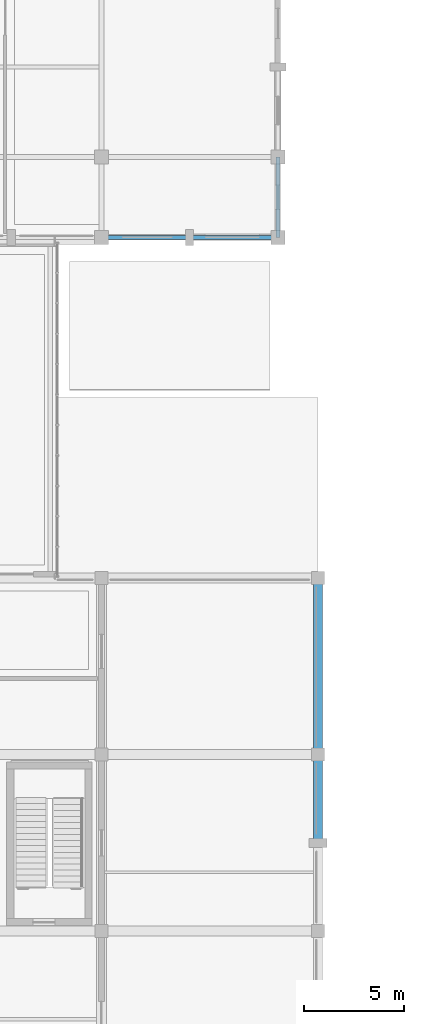
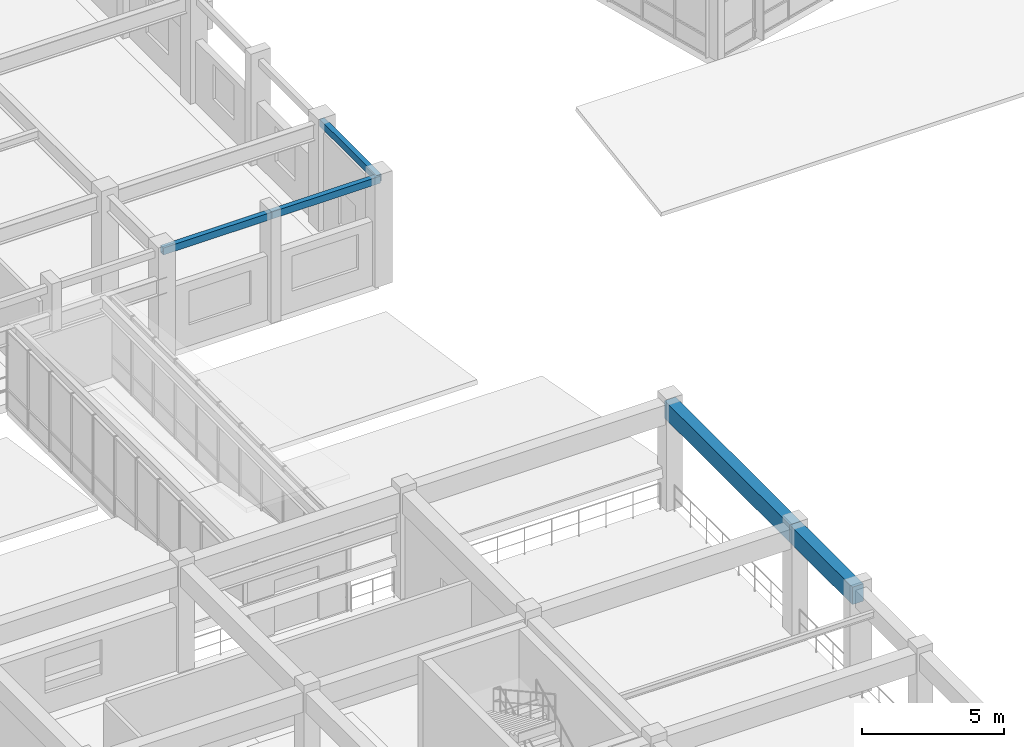
# One storey, part 21 of 104: 5 beams.
"""IFC4 building model written with IfcOpenShell, lengths in metres."""

import ifcopenshell
import ifcopenshell.guid

model = None  # the IFC model being written
_history = None  # IfcOwnerHistory: only IFC2X3 demands one
_inside = {}  # id of a spatial element -> (the spatial element, [elements in it])
_under = {}  # id of a project, library or spatial element -> (it, [spatial elements below it])
_declared = {}  # id of a project -> (the project, [libraries it declares])
_typed = {}  # id of a type object -> (the type object, [elements of that type])
_made_of = {}  # id of a material, layer set ... -> (it, [elements and type objects made of it])


def new_model(schema):
    """Start an empty IFC model of exactly this schema.

    Asked for "IFC4X3", IfcOpenShell would pick the latest addendum, in which some entities
    have other attributes; the version numbers below select the first issue.
    IFC2X3 requires an IfcOwnerHistory on every rooted entity: one is made here for all.
    """
    global model, _history
    if schema == "IFC4X3":
        model = ifcopenshell.file(schema_version=(4, 3, 0, 0))
    else:
        model = ifcopenshell.file(schema=schema)
    _inside.clear()
    _under.clear()
    _declared.clear()
    _typed.clear()
    _made_of.clear()
    _history = None
    if model.schema == "IFC2X3":
        org = make("IfcOrganization", Name="unknown")
        user = make(
            "IfcPersonAndOrganization",
            ThePerson=make("IfcPerson", FamilyName="unknown"),
            TheOrganization=org,
        )
        app = make(
            "IfcApplication",
            ApplicationDeveloper=org,
            Version="unknown",
            ApplicationFullName="unknown",
            ApplicationIdentifier="unknown",
        )
        _history = make(
            "IfcOwnerHistory",
            OwningUser=user,
            OwningApplication=app,
            ChangeAction="ADDED",
            CreationDate=0,
        )
    return model


def make(cls, **values):
    """One entity of the class cls with the attributes given. An attribute that is None is left unset."""
    return model.create_entity(
        cls, **{name: value for name, value in values.items() if value is not None}
    )


def rooted(cls, **values):
    """An entity with a GlobalId (a new one), such as an element, a storey or a relation."""
    return make(cls, GlobalId=ifcopenshell.guid.new(), OwnerHistory=_history, **values)


def si_unit(unit_type, name, prefix=None):
    """IfcSIUnit, for example si_unit("LENGTHUNIT", "METRE", prefix="MILLI")."""
    return make("IfcSIUnit", UnitType=unit_type, Prefix=prefix, Name=name)


def assignment(units):
    """IfcUnitAssignment: the units of a project."""
    return None if units is None else make("IfcUnitAssignment", Units=units)


def point(xyz):
    """IfcCartesianPoint."""
    return None if xyz is None else make("IfcCartesianPoint", Coordinates=xyz)


def direction(xyz):
    """IfcDirection."""
    return None if xyz is None else make("IfcDirection", DirectionRatios=xyz)


def frame(location, z_axis=None, x_axis=None):
    """IfcAxis2Placement3D, a coordinate frame: its origin and axes. An axis left out is left unset."""
    return make(
        "IfcAxis2Placement3D",
        Location=point(location),
        Axis=direction(z_axis),
        RefDirection=direction(x_axis),
    )


def frame_2d(location, x_axis=None):
    """IfcAxis2Placement2D, a coordinate frame in the plane: its origin and x axis."""
    return make(
        "IfcAxis2Placement2D", Location=point(location), RefDirection=direction(x_axis)
    )


def origin():
    """The frame at (0, 0, 0) with its axes left unset."""
    return frame((0.0, 0.0, 0.0))


def origin_2d():
    """The frame at (0, 0) in the plane with its x axis left unset."""
    return frame_2d((0.0, 0.0))


def place(relative_to, where):
    """IfcLocalPlacement: puts the frame where relative to a parent placement (None: the world)."""
    return make(
        "IfcLocalPlacement", PlacementRelTo=relative_to, RelativePlacement=where
    )


def context(
    kind, dimensions, precision=None, world=None, true_north=None, identifier=None
):
    """IfcGeometricRepresentationContext, for example the 3D "Model" context."""
    return make(
        "IfcGeometricRepresentationContext",
        ContextIdentifier=identifier,
        ContextType=kind,
        CoordinateSpaceDimension=dimensions,
        Precision=precision,
        WorldCoordinateSystem=world,
        TrueNorth=true_north,
    )


def subcontext(parent, identifier, kind, view, scale=None):
    """IfcGeometricRepresentationSubContext, for example "Body" below "Model"."""
    return make(
        "IfcGeometricRepresentationSubContext",
        ContextIdentifier=identifier,
        ContextType=kind,
        ParentContext=parent,
        TargetScale=scale,
        TargetView=view,
    )


def project(units=None, contexts=None):
    """IfcProject with its units and contexts."""
    return rooted(
        "IfcProject",
        Name="project",
        RepresentationContexts=contexts,
        UnitsInContext=assignment(units),
    )


def spatial(cls, under=None, at=None, **own):
    """A site, building, storey or space (cls), placed at a placement, below another one or the project."""
    s = rooted(cls, ObjectPlacement=at, **own)
    if under is not None:
        _under.setdefault(under.id(), (under, []))[1].append(s)
    return s


def profile(cls, at=None, kind="AREA", **sizes):
    """A parametric profile (cls). Its sizes go by their IFC names, for example OverallWidth=200.0."""
    return make(cls, ProfileType=kind, Position=at, **sizes)


def rectangle(**sizes):
    """IfcRectangleProfileDef."""
    return profile("IfcRectangleProfileDef", **sizes)


def hollow_rectangle(**sizes):
    """IfcRectangleHollowProfileDef."""
    return profile("IfcRectangleHollowProfileDef", **sizes)


def extrude(swept, where, along, depth):
    """IfcExtrudedAreaSolid: the profile swept, set in the frame where, extruded along a direction by depth."""
    return make(
        "IfcExtrudedAreaSolid",
        SweptArea=swept,
        Position=where,
        ExtrudedDirection=direction(along),
        Depth=depth,
    )


def shape(context_of_items, identifier, shape_type, items):
    """IfcShapeRepresentation: the items that make up one representation, for example the "Body"."""
    return make(
        "IfcShapeRepresentation",
        ContextOfItems=context_of_items,
        RepresentationIdentifier=identifier,
        RepresentationType=shape_type,
        Items=items,
    )


def material(Name=None, Category=None):
    """IfcMaterial."""
    return make("IfcMaterial", Name=Name, Category=Category)


def material_profile(
    of_material, cross_section, Name=None, Category=None, Priority=None
):
    """IfcMaterialProfile: a cross section and its material."""
    return make(
        "IfcMaterialProfile",
        Name=Name,
        Material=of_material,
        Profile=cross_section,
        Priority=Priority,
        Category=Category,
    )


def profile_set(profiles, Name=None, composite=None):
    """IfcMaterialProfileSet."""
    return make(
        "IfcMaterialProfileSet",
        Name=Name,
        MaterialProfiles=profiles,
        CompositeProfile=composite,
    )


def made_of(thing, what):
    """Note that an element or type object is made of a material, layer set ...; save() writes the relation."""
    if what is not None:
        _made_of.setdefault(what.id(), (what, []))[1].append(thing)
    return thing


def type_object(cls, material=None, **own):
    """A type object (cls), such as IfcWallType, which elements share."""
    return made_of(rooted(cls, **own), material)


def element(
    cls,
    number,
    at=None,
    inside=None,
    cuts=None,
    type_object=None,
    material=None,
    context=None,
    identifier="Body",
    shape_type=None,
    held_by="IfcProductDefinitionShape",
    body=None,
    shapes=None,
    **own,
):
    """One element of the class cls, such as IfcWall. Its Tag is "e" and its number.

    at: its placement. inside: the storey or other place that contains it. cuts: it is an
    opening in that element (IfcRelVoidsElement). A single representation is given by context,
    identifier, shape_type and body (its items); several are given by shapes. held_by: the class
    of the entity that holds the representations. save() writes the other relations.
    """
    e = rooted(cls, Tag="e%d" % number, ObjectPlacement=at, **own)
    if body is not None:
        shapes = [shape(context, identifier, shape_type, body)]
    if shapes is not None:
        e.Representation = make(held_by, Representations=shapes)
    if inside is not None:
        _inside.setdefault(inside.id(), (inside, []))[1].append(e)
    if cuts is not None:
        rooted(
            "IfcRelVoidsElement", RelatingBuildingElement=cuts, RelatedOpeningElement=e
        )
    if type_object is not None:
        _typed.setdefault(type_object.id(), (type_object, []))[1].append(e)
    return made_of(e, material)


def aggregate(whole, parts):
    """IfcRelAggregates: a whole, such as a stair, and the parts it consists of."""
    return rooted("IfcRelAggregates", RelatingObject=whole, RelatedObjects=parts)


def save(model, path):
    """Write the relations noted so far, then the file.

    IfcRelAggregates (storeys below a building ...), IfcRelContainedInSpatialStructure (elements
    in a storey), IfcRelDefinesByType, IfcRelAssociatesMaterial and IfcRelDeclares: one each for
    every whole, place, type object, material and project.
    """
    for whole, parts in _under.values():
        aggregate(whole, parts)
    for where, things in _inside.values():
        rooted(
            "IfcRelContainedInSpatialStructure",
            RelatedElements=things,
            RelatingStructure=where,
        )
    for kind, things in _typed.values():
        rooted("IfcRelDefinesByType", RelatedObjects=things, RelatingType=kind)
    for what, things in _made_of.values():
        rooted("IfcRelAssociatesMaterial", RelatedObjects=things, RelatingMaterial=what)
    for by, libraries in _declared.values():
        rooted("IfcRelDeclares", RelatingContext=by, RelatedDefinitions=libraries)
    model.write(path)


model = new_model("IFC4")

# Units and contexts
model_context = context("Model", 3, precision=1e-05, world=origin(), true_north=direction((0.0, 1.0)))
body_context = subcontext(model_context, "Body", "Model", "MODEL_VIEW")
ifc_project = project(units=[si_unit("LENGTHUNIT", "METRE"), si_unit("AREAUNIT", "SQUARE_METRE"), si_unit("VOLUMEUNIT", "CUBIC_METRE"), si_unit("PLANEANGLEUNIT", "RADIAN"), si_unit("MASSUNIT", "GRAM", prefix="KILO")], contexts=[model_context])

# Site, building, storey
site_placement = place(None, origin())
site = spatial("IfcSite", under=ifc_project, at=site_placement, CompositionType="ELEMENT")
building_placement = place(site_placement, origin())
building = spatial("IfcBuilding", under=site, at=building_placement, Name="Ventoquebrada Cableway Terminal", CompositionType="ELEMENT")
storey_placement = place(building_placement, frame((0.0, 0.0, 4.800048828125)))
storey = spatial("IfcBuildingStorey", under=building, at=storey_placement, Name="L01", CompositionType="ELEMENT", Elevation=4.800048828125)

# Beams
ifc_material_1 = material(Name="Concrete C40/50", Category="concrete")
ifc_material_profile_1 = material_profile(ifc_material_1, rectangle(XDim=0.449951171875, YDim=0.75, at=origin_2d()), Name="RC-BM-450X750")
ifc_profile_set_1 = profile_set([ifc_material_profile_1], Name="Concrete C40/50")
beam_type_1 = type_object("IfcBeamType", Name="SP-RC02", PredefinedType="SPANDREL", material=ifc_profile_set_1)
beam_1_placement = place(storey_placement, frame((37.0, 33.800048828125, 4.155029296875), z_axis=(0.0, 1.0, 0.0), x_axis=(-1.0, 0.0, 0.0)))
element("IfcBeam", 1, at=beam_1_placement, inside=storey, type_object=beam_type_1, Name="Perimeter spandrel beam FBM-0201", PredefinedType="SPANDREL", context=body_context, shape_type="SweptSolid", body=[
    extrude(rectangle(XDim=0.449951171875, YDim=0.75, at=origin_2d()), origin(), (0.0, 0.0, 1.0), 4.39990234375),
])
beam_2_placement = place(storey_placement, frame((37.0, 38.199951171875, 4.155029296875), z_axis=(0.0, 1.0, 0.0), x_axis=(-1.0, 0.0, 0.0)))
element("IfcBeam", 2, at=beam_2_placement, inside=storey, type_object=beam_type_1, Name="Perimeter spandrel beam FBM-0202", PredefinedType="SPANDREL", context=body_context, shape_type="SweptSolid", body=[
    extrude(rectangle(XDim=0.449951171875, YDim=0.75, at=origin_2d()), origin(), (0.0, 0.0, 1.0), 8.800048828125),
])
ifc_material_2 = material(Name="Steel ASTM A500 Grade C", Category="steel")
ifc_material_profile_2 = material_profile(ifc_material_2, hollow_rectangle(XDim=0.199951171875, YDim=0.300048828125, WallThickness=0.012451171875, at=origin_2d()), Name="RHS300X200X12.5")
ifc_profile_set_2 = profile_set([ifc_material_profile_2], Name="Steel ASTM A500 Grade C")
beam_type_2 = type_object("IfcBeamType", Name="SP-ST02", PredefinedType="SPANDREL", material=ifc_profile_set_2)
beam_3_placement = place(storey_placement, frame((26.199951171875, 64.0, 4.3798828125), z_axis=(1.0, 0.0, 0.0), x_axis=(0.0, 1.0, 0.0)))
element("IfcBeam", 3, at=beam_3_placement, inside=storey, type_object=beam_type_2, Name="Perimeter spandrel beam FBM-0381", PredefinedType="SPANDREL", context=body_context, shape_type="SweptSolid", body=[
    extrude(hollow_rectangle(XDim=0.199951171875, YDim=0.300048828125, WallThickness=0.012451171875, at=origin_2d()), origin(), (0.0, 0.0, 1.0), 4.400146484375),
])
beam_4_placement = place(storey_placement, frame((30.60009765625, 64.0, 4.3798828125), z_axis=(1.0, 0.0, 0.0), x_axis=(0.0, 1.0, 0.0)))
element("IfcBeam", 4, at=beam_4_placement, inside=storey, type_object=beam_type_2, Name="Perimeter spandrel beam FBM-0382", PredefinedType="SPANDREL", context=body_context, shape_type="SweptSolid", body=[
    extrude(hollow_rectangle(XDim=0.199951171875, YDim=0.300048828125, WallThickness=0.012451171875, at=origin_2d()), origin(), (0.0, 0.0, 1.0), 4.39990234375),
])
beam_5_placement = place(storey_placement, frame((35.0, 64.0, 4.3798828125), z_axis=(0.0, 1.0, 0.0), x_axis=(-1.0, 0.0, 0.0)))
element("IfcBeam", 5, at=beam_5_placement, inside=storey, type_object=beam_type_2, Name="Perimeter spandrel beam FBM-0427", PredefinedType="SPANDREL", context=body_context, shape_type="SweptSolid", body=[
    extrude(hollow_rectangle(XDim=0.199951171875, YDim=0.300048828125, WallThickness=0.012451171875, at=origin_2d()), origin(), (0.0, 0.0, 1.0), 4.0),
])

save(model, "model.ifc")
